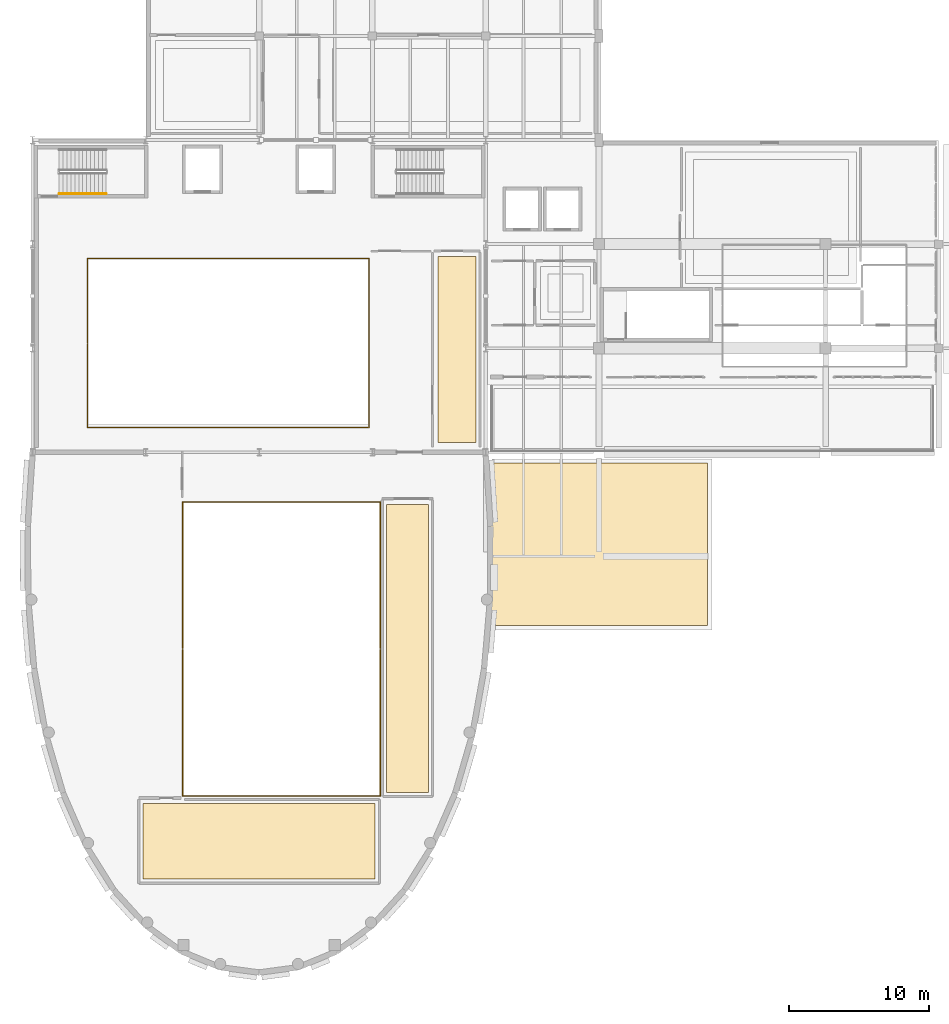
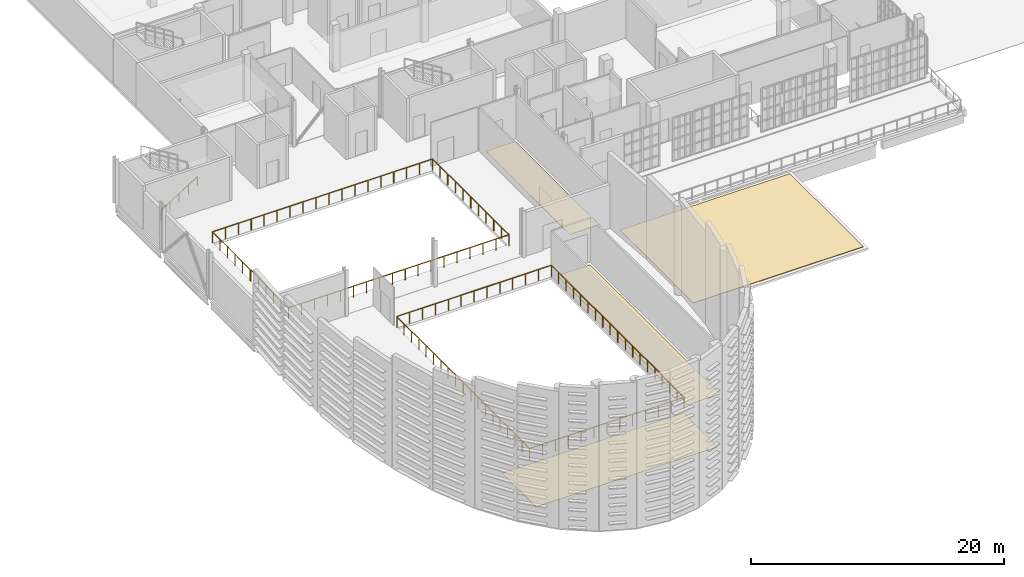
# One storey, part 52 of 56: 5 railings, 4 coverings.
"""IFC4 building model written with IfcOpenShell, lengths in metres."""

from ifc_helpers import new_model, si_unit, direction, frame, origin, origin_2d, place, context, subcontext, project, spatial, polyline, circle, outline, extrude, material, layer, layer_set, type_object, element, save


model = new_model("IFC4")

# Units and contexts
model_context = context("Model", 3, precision=1e-05, world=origin(), true_north=direction((0.0, 1.0)))
body_context = subcontext(model_context, "Body", "Model", "MODEL_VIEW")
ifc_project = project(units=[si_unit("LENGTHUNIT", "METRE"), si_unit("AREAUNIT", "SQUARE_METRE"), si_unit("VOLUMEUNIT", "CUBIC_METRE"), si_unit("PLANEANGLEUNIT", "RADIAN"), si_unit("MASSUNIT", "GRAM", prefix="KILO")], contexts=[model_context])

# Site, building, storey
site_placement = place(None, origin())
site = spatial("IfcSite", under=ifc_project, at=site_placement, CompositionType="ELEMENT")
building_placement = place(site_placement, origin())
building = spatial("IfcBuilding", under=site, at=building_placement, Name="Kaelora Sail Theatre", CompositionType="ELEMENT")
storey_placement = place(building_placement, frame((0.0, 0.0, 14.699951171875)))
storey = spatial("IfcBuildingStorey", under=building, at=storey_placement, Name="L03", CompositionType="ELEMENT", Elevation=14.699951171875)

# Coverings
ifc_material_1 = material(Name="Acoustic rubber backstage studio flooring", Category="rubber")
ifc_layer_1 = layer(ifc_material_1, 0.02197265625)
ifc_layer_set_1 = layer_set([ifc_layer_1], Name="Acoustic rubber backstage studio flooring")
covering_type_1 = type_object("IfcCoveringType", Name="ARC-COV-FLR-AC-22", PredefinedType="FLOORING", material=ifc_layer_set_1)
covering_1_placement = place(storey_placement, origin())
element("IfcCovering", 1, at=covering_1_placement, inside=storey, type_object=covering_type_1, Name="Architectural flooring L03-TECH-RING", PredefinedType="FLOORING", context=body_context, shape_type="SweptSolid", body=[
    extrude(outline(polyline([(33.699951171875, 30.5), (50.300048828125, 30.5), (50.300048828125, 35.89990234375), (33.699951171875, 35.89990234375), (33.699951171875, 30.5)])), origin(), (0.0, 0.0, 1.0), 0.02197265625),
])
covering_2_placement = place(storey_placement, origin())
element("IfcCovering", 2, at=covering_2_placement, inside=storey, type_object=covering_type_1, Name="Architectural flooring L03-FLY-LOAD", PredefinedType="FLOORING", context=body_context, shape_type="SweptSolid", body=[
    extrude(outline(polyline([(54.800048828125, 61.699951171875), (57.5, 61.699951171875), (57.5, 75.0), (54.800048828125, 75.0), (54.800048828125, 61.699951171875)])), origin(), (0.0, 0.0, 1.0), 0.02197265625),
])
ifc_material_2 = material(Name="Sprung West African iroko stage and dance floor", Category="timber")
ifc_layer_2 = layer(ifc_material_2, 0.028076171875)
ifc_layer_set_2 = layer_set([ifc_layer_2], Name="Sprung West African iroko stage and dance floor")
covering_type_2 = type_object("IfcCoveringType", Name="ARC-COV-FLR-OAK-28", PredefinedType="FLOORING", material=ifc_layer_set_2)
covering_3_placement = place(storey_placement, origin())
element("IfcCovering", 3, at=covering_3_placement, inside=storey, type_object=covering_type_2, Name="Architectural flooring L03-ACOUSTIC-E", PredefinedType="FLOORING", context=body_context, shape_type="SweptSolid", body=[
    extrude(outline(polyline([(51.10009765625, 36.699951171875), (54.10009765625, 36.699951171875), (54.10009765625, 57.300048828125), (51.10009765625, 57.300048828125), (51.10009765625, 36.699951171875)])), origin(), (0.0, 0.0, 1.0), 0.028076171875),
])
ifc_material_3 = material(Name="Standing-seam titanium-zinc and TPO membrane", Category="metal")
ifc_layer_3 = layer(ifc_material_3, 0.044921875)
ifc_layer_set_3 = layer_set([ifc_layer_3], Name="Standing-seam titanium-zinc and TPO membrane")
covering_type_3 = type_object("IfcCoveringType", Name="ARC-COV-RFM", PredefinedType="ROOFING", material=ifc_layer_set_3)
covering_4_placement = place(storey_placement, origin())
element("IfcCovering", 4, at=covering_4_placement, inside=storey, type_object=covering_type_3, Name="Standing-seam titanium-zinc roofing FIW", PredefinedType="ROOFING", context=body_context, shape_type="SweptSolid", body=[
    extrude(outline(polyline([(58.530029296875, 48.6201171875), (74.070068359375, 48.6201171875), (74.070068359375, 60.25), (58.530029296875, 60.25), (58.530029296875, 48.6201171875)])), origin(), (0.0, 0.0, 1.0), 0.045166015625),
])

# Railings
ifc_material_4 = material(Name="Acoustic bronze and laminated glass balcony balustrade", Category="glass")
railing_type_1 = type_object("IfcRailingType", Name="ARC-RL-BAL", PredefinedType="BALUSTRADE", material=ifc_material_4)
railing_1_placement = place(storey_placement, frame((36.5400390625, 46.89990234375, 0.0)))
element("IfcRailing", 5, at=railing_1_placement, inside=storey, type_object=railing_type_1, Name="Interior void balustrade AUD-M3 south", PredefinedType="BALUSTRADE", context=body_context, shape_type="SweptSolid", body=[
    extrude(circle(Radius=0.02392578125, at=origin_2d()), frame((0.0, 0.0, 1.076171875), z_axis=(0.0, -1.0, 0.0), x_axis=(1.0, 0.0, 0.0)), (0.0, 0.0, 1.0), 10.4599609375),
    extrude(circle(Radius=0.02392578125, at=origin_2d()), frame((0.0, -10.4599609375, 1.076171875), z_axis=(1.0, 0.0, 0.0), x_axis=(0.0, 1.0, 0.0)), (0.0, 0.0, 1.0), 14.119873046875),
    extrude(circle(Radius=0.02392578125, at=origin_2d()), frame((14.119873046875, -10.4599609375, 1.076171875), z_axis=(0.0, 1.0, 0.0), x_axis=(-1.0, 0.0, 0.0)), (0.0, 0.0, 1.0), 10.4599609375),
    extrude(circle(Radius=0.02099609375, at=origin_2d()), origin(), (0.0, 0.0, 1.0), 1.052001953125),
    extrude(circle(Radius=0.02099609375, at=origin_2d()), frame((0.0, -1.162109375, 0.0)), (0.0, 0.0, 1.0), 1.052001953125),
    extrude(circle(Radius=0.02099609375, at=origin_2d()), frame((0.0, -2.324462890625, 0.0)), (0.0, 0.0, 1.0), 1.052001953125),
    extrude(circle(Radius=0.02099609375, at=origin_2d()), frame((0.0, -3.486572265625, 0.0)), (0.0, 0.0, 1.0), 1.052001953125),
    extrude(circle(Radius=0.02099609375, at=origin_2d()), frame((0.0, -4.64892578125, 0.0)), (0.0, 0.0, 1.0), 1.052001953125),
    extrude(circle(Radius=0.02099609375, at=origin_2d()), frame((0.0, -5.81103515625, 0.0)), (0.0, 0.0, 1.0), 1.052001953125),
    extrude(circle(Radius=0.02099609375, at=origin_2d()), frame((0.0, -6.973388671875, 0.0)), (0.0, 0.0, 1.0), 1.052001953125),
    extrude(circle(Radius=0.02099609375, at=origin_2d()), frame((0.0, -8.135498046875, 0.0)), (0.0, 0.0, 1.0), 1.052001953125),
    extrude(circle(Radius=0.02099609375, at=origin_2d()), frame((0.0, -9.2978515625, 0.0)), (0.0, 0.0, 1.0), 1.052001953125),
    extrude(circle(Radius=0.02099609375, at=origin_2d()), frame((0.0, -10.4599609375, 0.0)), (0.0, 0.0, 1.0), 1.052001953125),
    extrude(circle(Radius=0.02099609375, at=origin_2d()), frame((1.1767578125, -10.4599609375, 0.0)), (0.0, 0.0, 1.0), 1.052001953125),
    extrude(circle(Radius=0.02099609375, at=origin_2d()), frame((2.353271484375, -10.4599609375, 0.0)), (0.0, 0.0, 1.0), 1.052001953125),
    extrude(circle(Radius=0.02099609375, at=origin_2d()), frame((3.530029296875, -10.4599609375, 0.0)), (0.0, 0.0, 1.0), 1.052001953125),
    extrude(circle(Radius=0.02099609375, at=origin_2d()), frame((4.70654296875, -10.4599609375, 0.0)), (0.0, 0.0, 1.0), 1.052001953125),
    extrude(circle(Radius=0.02099609375, at=origin_2d()), frame((5.88330078125, -10.4599609375, 0.0)), (0.0, 0.0, 1.0), 1.052001953125),
    extrude(circle(Radius=0.02099609375, at=origin_2d()), frame((7.06005859375, -10.4599609375, 0.0)), (0.0, 0.0, 1.0), 1.052001953125),
    extrude(circle(Radius=0.02099609375, at=origin_2d()), frame((8.236572265625, -10.4599609375, 0.0)), (0.0, 0.0, 1.0), 1.052001953125),
    extrude(circle(Radius=0.02099609375, at=origin_2d()), frame((9.413330078125, -10.4599609375, 0.0)), (0.0, 0.0, 1.0), 1.052001953125),
    extrude(circle(Radius=0.02099609375, at=origin_2d()), frame((10.58984375, -10.4599609375, 0.0)), (0.0, 0.0, 1.0), 1.052001953125),
    extrude(circle(Radius=0.02099609375, at=origin_2d()), frame((11.7666015625, -10.4599609375, 0.0)), (0.0, 0.0, 1.0), 1.052001953125),
    extrude(circle(Radius=0.02099609375, at=origin_2d()), frame((12.943115234375, -10.4599609375, 0.0)), (0.0, 0.0, 1.0), 1.052001953125),
    extrude(circle(Radius=0.02099609375, at=origin_2d()), frame((14.119873046875, -10.4599609375, 0.0)), (0.0, 0.0, 1.0), 1.052001953125),
    extrude(circle(Radius=0.02099609375, at=origin_2d()), frame((14.119873046875, -9.2978515625, 0.0)), (0.0, 0.0, 1.0), 1.052001953125),
    extrude(circle(Radius=0.02099609375, at=origin_2d()), frame((14.119873046875, -8.135498046875, 0.0)), (0.0, 0.0, 1.0), 1.052001953125),
    extrude(circle(Radius=0.02099609375, at=origin_2d()), frame((14.119873046875, -6.973388671875, 0.0)), (0.0, 0.0, 1.0), 1.052001953125),
    extrude(circle(Radius=0.02099609375, at=origin_2d()), frame((14.119873046875, -5.81103515625, 0.0)), (0.0, 0.0, 1.0), 1.052001953125),
    extrude(circle(Radius=0.02099609375, at=origin_2d()), frame((14.119873046875, -4.64892578125, 0.0)), (0.0, 0.0, 1.0), 1.052001953125),
    extrude(circle(Radius=0.02099609375, at=origin_2d()), frame((14.119873046875, -3.486572265625, 0.0)), (0.0, 0.0, 1.0), 1.052001953125),
    extrude(circle(Radius=0.02099609375, at=origin_2d()), frame((14.119873046875, -2.324462890625, 0.0)), (0.0, 0.0, 1.0), 1.052001953125),
    extrude(circle(Radius=0.02099609375, at=origin_2d()), frame((14.119873046875, -1.162109375, 0.0)), (0.0, 0.0, 1.0), 1.052001953125),
    extrude(circle(Radius=0.02099609375, at=origin_2d()), frame((14.119873046875, 0.0, 0.0)), (0.0, 0.0, 1.0), 1.052001953125),
])
railing_2_placement = place(storey_placement, frame((50.659912109375, 47.0, 0.0)))
element("IfcRailing", 6, at=railing_2_placement, inside=storey, type_object=railing_type_1, Name="Interior void balustrade AUD-M3 north", PredefinedType="BALUSTRADE", context=body_context, shape_type="SweptSolid", body=[
    extrude(circle(Radius=0.02392578125, at=origin_2d()), frame((0.0, 0.0, 1.076171875), z_axis=(0.0, 1.0, 0.0), x_axis=(-1.0, 0.0, 0.0)), (0.0, 0.0, 1.0), 10.4599609375),
    extrude(circle(Radius=0.02392578125, at=origin_2d()), frame((0.0, 10.4599609375, 1.076171875), z_axis=(-1.0, 0.0, 0.0), x_axis=(0.0, -1.0, 0.0)), (0.0, 0.0, 1.0), 14.119873046875),
    extrude(circle(Radius=0.02392578125, at=origin_2d()), frame((-14.119873046875, 10.4599609375, 1.076171875), z_axis=(0.0, -1.0, 0.0), x_axis=(1.0, 0.0, 0.0)), (0.0, 0.0, 1.0), 10.4599609375),
    extrude(circle(Radius=0.02099609375, at=origin_2d()), origin(), (0.0, 0.0, 1.0), 1.052001953125),
    extrude(circle(Radius=0.02099609375, at=origin_2d()), frame((0.0, 1.162109375, 0.0)), (0.0, 0.0, 1.0), 1.052001953125),
    extrude(circle(Radius=0.02099609375, at=origin_2d()), frame((0.0, 2.324462890625, 0.0)), (0.0, 0.0, 1.0), 1.052001953125),
    extrude(circle(Radius=0.02099609375, at=origin_2d()), frame((0.0, 3.486572265625, 0.0)), (0.0, 0.0, 1.0), 1.052001953125),
    extrude(circle(Radius=0.02099609375, at=origin_2d()), frame((0.0, 4.64892578125, 0.0)), (0.0, 0.0, 1.0), 1.052001953125),
    extrude(circle(Radius=0.02099609375, at=origin_2d()), frame((0.0, 5.81103515625, 0.0)), (0.0, 0.0, 1.0), 1.052001953125),
    extrude(circle(Radius=0.02099609375, at=origin_2d()), frame((0.0, 6.973388671875, 0.0)), (0.0, 0.0, 1.0), 1.052001953125),
    extrude(circle(Radius=0.02099609375, at=origin_2d()), frame((0.0, 8.135498046875, 0.0)), (0.0, 0.0, 1.0), 1.052001953125),
    extrude(circle(Radius=0.02099609375, at=origin_2d()), frame((0.0, 9.2978515625, 0.0)), (0.0, 0.0, 1.0), 1.052001953125),
    extrude(circle(Radius=0.02099609375, at=origin_2d()), frame((0.0, 10.4599609375, 0.0)), (0.0, 0.0, 1.0), 1.052001953125),
    extrude(circle(Radius=0.02099609375, at=origin_2d()), frame((-1.1767578125, 10.4599609375, 0.0)), (0.0, 0.0, 1.0), 1.052001953125),
    extrude(circle(Radius=0.02099609375, at=origin_2d()), frame((-2.353271484375, 10.4599609375, 0.0)), (0.0, 0.0, 1.0), 1.052001953125),
    extrude(circle(Radius=0.02099609375, at=origin_2d()), frame((-3.530029296875, 10.4599609375, 0.0)), (0.0, 0.0, 1.0), 1.052001953125),
    extrude(circle(Radius=0.02099609375, at=origin_2d()), frame((-4.70654296875, 10.4599609375, 0.0)), (0.0, 0.0, 1.0), 1.052001953125),
    extrude(circle(Radius=0.02099609375, at=origin_2d()), frame((-5.88330078125, 10.4599609375, 0.0)), (0.0, 0.0, 1.0), 1.052001953125),
    extrude(circle(Radius=0.02099609375, at=origin_2d()), frame((-7.06005859375, 10.4599609375, 0.0)), (0.0, 0.0, 1.0), 1.052001953125),
    extrude(circle(Radius=0.02099609375, at=origin_2d()), frame((-8.236572265625, 10.4599609375, 0.0)), (0.0, 0.0, 1.0), 1.052001953125),
    extrude(circle(Radius=0.02099609375, at=origin_2d()), frame((-9.413330078125, 10.4599609375, 0.0)), (0.0, 0.0, 1.0), 1.052001953125),
    extrude(circle(Radius=0.02099609375, at=origin_2d()), frame((-10.58984375, 10.4599609375, 0.0)), (0.0, 0.0, 1.0), 1.052001953125),
    extrude(circle(Radius=0.02099609375, at=origin_2d()), frame((-11.7666015625, 10.4599609375, 0.0)), (0.0, 0.0, 1.0), 1.052001953125),
    extrude(circle(Radius=0.02099609375, at=origin_2d()), frame((-12.943115234375, 10.4599609375, 0.0)), (0.0, 0.0, 1.0), 1.052001953125),
    extrude(circle(Radius=0.02099609375, at=origin_2d()), frame((-14.119873046875, 10.4599609375, 0.0)), (0.0, 0.0, 1.0), 1.052001953125),
    extrude(circle(Radius=0.02099609375, at=origin_2d()), frame((-14.119873046875, 9.2978515625, 0.0)), (0.0, 0.0, 1.0), 1.052001953125),
    extrude(circle(Radius=0.02099609375, at=origin_2d()), frame((-14.119873046875, 8.135498046875, 0.0)), (0.0, 0.0, 1.0), 1.052001953125),
    extrude(circle(Radius=0.02099609375, at=origin_2d()), frame((-14.119873046875, 6.973388671875, 0.0)), (0.0, 0.0, 1.0), 1.052001953125),
    extrude(circle(Radius=0.02099609375, at=origin_2d()), frame((-14.119873046875, 5.81103515625, 0.0)), (0.0, 0.0, 1.0), 1.052001953125),
    extrude(circle(Radius=0.02099609375, at=origin_2d()), frame((-14.119873046875, 4.64892578125, 0.0)), (0.0, 0.0, 1.0), 1.052001953125),
    extrude(circle(Radius=0.02099609375, at=origin_2d()), frame((-14.119873046875, 3.486572265625, 0.0)), (0.0, 0.0, 1.0), 1.052001953125),
    extrude(circle(Radius=0.02099609375, at=origin_2d()), frame((-14.119873046875, 2.324462890625, 0.0)), (0.0, 0.0, 1.0), 1.052001953125),
    extrude(circle(Radius=0.02099609375, at=origin_2d()), frame((-14.119873046875, 1.162109375, 0.0)), (0.0, 0.0, 1.0), 1.052001953125),
    extrude(circle(Radius=0.02099609375, at=origin_2d()), frame((-14.119873046875, 0.0, 0.0)), (0.0, 0.0, 1.0), 1.052001953125),
])
ifc_material_5 = material(Name="Painted steel and laminated safety glass guard", Category="steel")
railing_type_2 = type_object("IfcRailingType", Name="ARC-RL-GRD", PredefinedType="GUARDRAIL", material=ifc_material_5)
railing_3_placement = place(storey_placement, frame((29.739990234375, 68.77490234375, 0.0)))
element("IfcRailing", 7, at=railing_3_placement, inside=storey, type_object=railing_type_2, Name="Interior void balustrade FLY-V3 south", PredefinedType="GUARDRAIL", context=body_context, shape_type="SweptSolid", body=[
    extrude(circle(Radius=0.02392578125, at=origin_2d()), frame((0.0, 0.0, 1.076171875), z_axis=(0.0, -1.0, 0.0), x_axis=(1.0, 0.0, 0.0)), (0.0, 0.0, 1.0), 5.98486328125),
    extrude(circle(Radius=0.02392578125, at=origin_2d()), frame((0.0, -5.98486328125, 1.076171875), z_axis=(1.0, 0.0, 0.0), x_axis=(0.0, 1.0, 0.0)), (0.0, 0.0, 1.0), 20.1201171875),
    extrude(circle(Radius=0.02392578125, at=origin_2d()), frame((20.1201171875, -5.98486328125, 1.076171875), z_axis=(0.0, 1.0, 0.0), x_axis=(-1.0, 0.0, 0.0)), (0.0, 0.0, 1.0), 5.98486328125),
    extrude(circle(Radius=0.02099609375, at=origin_2d()), origin(), (0.0, 0.0, 1.0), 1.052001953125),
    extrude(circle(Radius=0.02099609375, at=origin_2d()), frame((0.0, -1.197021484375, 0.0)), (0.0, 0.0, 1.0), 1.052001953125),
    extrude(circle(Radius=0.02099609375, at=origin_2d()), frame((0.0, -2.39404296875, 0.0)), (0.0, 0.0, 1.0), 1.052001953125),
    extrude(circle(Radius=0.02099609375, at=origin_2d()), frame((0.0, -3.5908203125, 0.0)), (0.0, 0.0, 1.0), 1.052001953125),
    extrude(circle(Radius=0.02099609375, at=origin_2d()), frame((0.0, -4.787841796875, 0.0)), (0.0, 0.0, 1.0), 1.052001953125),
    extrude(circle(Radius=0.02099609375, at=origin_2d()), frame((0.0, -5.98486328125, 0.0)), (0.0, 0.0, 1.0), 1.052001953125),
    extrude(circle(Radius=0.02099609375, at=origin_2d()), frame((1.18359375, -5.98486328125, 0.0)), (0.0, 0.0, 1.0), 1.052001953125),
    extrude(circle(Radius=0.02099609375, at=origin_2d()), frame((2.3671875, -5.98486328125, 0.0)), (0.0, 0.0, 1.0), 1.052001953125),
    extrude(circle(Radius=0.02099609375, at=origin_2d()), frame((3.550537109375, -5.98486328125, 0.0)), (0.0, 0.0, 1.0), 1.052001953125),
    extrude(circle(Radius=0.02099609375, at=origin_2d()), frame((4.734130859375, -5.98486328125, 0.0)), (0.0, 0.0, 1.0), 1.052001953125),
    extrude(circle(Radius=0.02099609375, at=origin_2d()), frame((5.917724609375, -5.98486328125, 0.0)), (0.0, 0.0, 1.0), 1.052001953125),
    extrude(circle(Radius=0.02099609375, at=origin_2d()), frame((7.101318359375, -5.98486328125, 0.0)), (0.0, 0.0, 1.0), 1.052001953125),
    extrude(circle(Radius=0.02099609375, at=origin_2d()), frame((8.28466796875, -5.98486328125, 0.0)), (0.0, 0.0, 1.0), 1.052001953125),
    extrude(circle(Radius=0.02099609375, at=origin_2d()), frame((9.46826171875, -5.98486328125, 0.0)), (0.0, 0.0, 1.0), 1.052001953125),
    extrude(circle(Radius=0.02099609375, at=origin_2d()), frame((10.65185546875, -5.98486328125, 0.0)), (0.0, 0.0, 1.0), 1.052001953125),
    extrude(circle(Radius=0.02099609375, at=origin_2d()), frame((11.83544921875, -5.98486328125, 0.0)), (0.0, 0.0, 1.0), 1.052001953125),
    extrude(circle(Radius=0.02099609375, at=origin_2d()), frame((13.018798828125, -5.98486328125, 0.0)), (0.0, 0.0, 1.0), 1.052001953125),
    extrude(circle(Radius=0.02099609375, at=origin_2d()), frame((14.202392578125, -5.98486328125, 0.0)), (0.0, 0.0, 1.0), 1.052001953125),
    extrude(circle(Radius=0.02099609375, at=origin_2d()), frame((15.385986328125, -5.98486328125, 0.0)), (0.0, 0.0, 1.0), 1.052001953125),
    extrude(circle(Radius=0.02099609375, at=origin_2d()), frame((16.569580078125, -5.98486328125, 0.0)), (0.0, 0.0, 1.0), 1.052001953125),
    extrude(circle(Radius=0.02099609375, at=origin_2d()), frame((17.7529296875, -5.98486328125, 0.0)), (0.0, 0.0, 1.0), 1.052001953125),
    extrude(circle(Radius=0.02099609375, at=origin_2d()), frame((18.9365234375, -5.98486328125, 0.0)), (0.0, 0.0, 1.0), 1.052001953125),
    extrude(circle(Radius=0.02099609375, at=origin_2d()), frame((20.1201171875, -5.98486328125, 0.0)), (0.0, 0.0, 1.0), 1.052001953125),
    extrude(circle(Radius=0.02099609375, at=origin_2d()), frame((20.1201171875, -4.787841796875, 0.0)), (0.0, 0.0, 1.0), 1.052001953125),
    extrude(circle(Radius=0.02099609375, at=origin_2d()), frame((20.1201171875, -3.5908203125, 0.0)), (0.0, 0.0, 1.0), 1.052001953125),
    extrude(circle(Radius=0.02099609375, at=origin_2d()), frame((20.1201171875, -2.39404296875, 0.0)), (0.0, 0.0, 1.0), 1.052001953125),
    extrude(circle(Radius=0.02099609375, at=origin_2d()), frame((20.1201171875, -1.197021484375, 0.0)), (0.0, 0.0, 1.0), 1.052001953125),
    extrude(circle(Radius=0.02099609375, at=origin_2d()), frame((20.1201171875, 0.0, 0.0)), (0.0, 0.0, 1.0), 1.052001953125),
])
railing_4_placement = place(storey_placement, frame((49.860107421875, 68.875, 0.0)))
element("IfcRailing", 8, at=railing_4_placement, inside=storey, type_object=railing_type_2, Name="Interior void balustrade FLY-V3 north", PredefinedType="GUARDRAIL", context=body_context, shape_type="SweptSolid", body=[
    extrude(circle(Radius=0.02392578125, at=origin_2d()), frame((0.0, 0.0, 1.076171875), z_axis=(0.0, 1.0, 0.0), x_axis=(-1.0, 0.0, 0.0)), (0.0, 0.0, 1.0), 5.985107421875),
    extrude(circle(Radius=0.02392578125, at=origin_2d()), frame((0.0, 5.985107421875, 1.076171875), z_axis=(-1.0, 0.0, 0.0), x_axis=(0.0, -1.0, 0.0)), (0.0, 0.0, 1.0), 20.1201171875),
    extrude(circle(Radius=0.02392578125, at=origin_2d()), frame((-20.1201171875, 5.985107421875, 1.076171875), z_axis=(0.0, -1.0, 0.0), x_axis=(1.0, 0.0, 0.0)), (0.0, 0.0, 1.0), 5.985107421875),
    extrude(circle(Radius=0.02099609375, at=origin_2d()), origin(), (0.0, 0.0, 1.0), 1.052001953125),
    extrude(circle(Radius=0.02099609375, at=origin_2d()), frame((0.0, 1.197021484375, 0.0)), (0.0, 0.0, 1.0), 1.052001953125),
    extrude(circle(Radius=0.02099609375, at=origin_2d()), frame((0.0, 2.39404296875, 0.0)), (0.0, 0.0, 1.0), 1.052001953125),
    extrude(circle(Radius=0.02099609375, at=origin_2d()), frame((0.0, 3.591064453125, 0.0)), (0.0, 0.0, 1.0), 1.052001953125),
    extrude(circle(Radius=0.02099609375, at=origin_2d()), frame((0.0, 4.7880859375, 0.0)), (0.0, 0.0, 1.0), 1.052001953125),
    extrude(circle(Radius=0.02099609375, at=origin_2d()), frame((0.0, 5.985107421875, 0.0)), (0.0, 0.0, 1.0), 1.052001953125),
    extrude(circle(Radius=0.02099609375, at=origin_2d()), frame((-1.18359375, 5.985107421875, 0.0)), (0.0, 0.0, 1.0), 1.052001953125),
    extrude(circle(Radius=0.02099609375, at=origin_2d()), frame((-2.3671875, 5.985107421875, 0.0)), (0.0, 0.0, 1.0), 1.052001953125),
    extrude(circle(Radius=0.02099609375, at=origin_2d()), frame((-3.550537109375, 5.985107421875, 0.0)), (0.0, 0.0, 1.0), 1.052001953125),
    extrude(circle(Radius=0.02099609375, at=origin_2d()), frame((-4.734130859375, 5.985107421875, 0.0)), (0.0, 0.0, 1.0), 1.052001953125),
    extrude(circle(Radius=0.02099609375, at=origin_2d()), frame((-5.917724609375, 5.985107421875, 0.0)), (0.0, 0.0, 1.0), 1.052001953125),
    extrude(circle(Radius=0.02099609375, at=origin_2d()), frame((-7.101318359375, 5.985107421875, 0.0)), (0.0, 0.0, 1.0), 1.052001953125),
    extrude(circle(Radius=0.02099609375, at=origin_2d()), frame((-8.28466796875, 5.985107421875, 0.0)), (0.0, 0.0, 1.0), 1.052001953125),
    extrude(circle(Radius=0.02099609375, at=origin_2d()), frame((-9.46826171875, 5.985107421875, 0.0)), (0.0, 0.0, 1.0), 1.052001953125),
    extrude(circle(Radius=0.02099609375, at=origin_2d()), frame((-10.65185546875, 5.985107421875, 0.0)), (0.0, 0.0, 1.0), 1.052001953125),
    extrude(circle(Radius=0.02099609375, at=origin_2d()), frame((-11.83544921875, 5.985107421875, 0.0)), (0.0, 0.0, 1.0), 1.052001953125),
    extrude(circle(Radius=0.02099609375, at=origin_2d()), frame((-13.018798828125, 5.985107421875, 0.0)), (0.0, 0.0, 1.0), 1.052001953125),
    extrude(circle(Radius=0.02099609375, at=origin_2d()), frame((-14.202392578125, 5.985107421875, 0.0)), (0.0, 0.0, 1.0), 1.052001953125),
    extrude(circle(Radius=0.02099609375, at=origin_2d()), frame((-15.385986328125, 5.985107421875, 0.0)), (0.0, 0.0, 1.0), 1.052001953125),
    extrude(circle(Radius=0.02099609375, at=origin_2d()), frame((-16.569580078125, 5.985107421875, 0.0)), (0.0, 0.0, 1.0), 1.052001953125),
    extrude(circle(Radius=0.02099609375, at=origin_2d()), frame((-17.7529296875, 5.985107421875, 0.0)), (0.0, 0.0, 1.0), 1.052001953125),
    extrude(circle(Radius=0.02099609375, at=origin_2d()), frame((-18.9365234375, 5.985107421875, 0.0)), (0.0, 0.0, 1.0), 1.052001953125),
    extrude(circle(Radius=0.02099609375, at=origin_2d()), frame((-20.1201171875, 5.985107421875, 0.0)), (0.0, 0.0, 1.0), 1.052001953125),
    extrude(circle(Radius=0.02099609375, at=origin_2d()), frame((-20.1201171875, 4.7880859375, 0.0)), (0.0, 0.0, 1.0), 1.052001953125),
    extrude(circle(Radius=0.02099609375, at=origin_2d()), frame((-20.1201171875, 3.591064453125, 0.0)), (0.0, 0.0, 1.0), 1.052001953125),
    extrude(circle(Radius=0.02099609375, at=origin_2d()), frame((-20.1201171875, 2.39404296875, 0.0)), (0.0, 0.0, 1.0), 1.052001953125),
    extrude(circle(Radius=0.02099609375, at=origin_2d()), frame((-20.1201171875, 1.197021484375, 0.0)), (0.0, 0.0, 1.0), 1.052001953125),
    extrude(circle(Radius=0.02099609375, at=origin_2d()), frame((-20.1201171875, 0.0, 0.0)), (0.0, 0.0, 1.0), 1.052001953125),
])
ifc_material_6 = material(Name="Brushed stainless steel 316L tubular handrail", Category="steel")
railing_type_3 = type_object("IfcRailingType", Name="ARC-RL-HND", PredefinedType="HANDRAIL", material=ifc_material_6)
railing_5_placement = place(storey_placement, frame((27.7099609375, 79.5, 0.173095703125)))
element("IfcRailing", 9, at=railing_5_placement, inside=storey, type_object=railing_type_3, Name="L03 ST-K1 stair handrail 1", PredefinedType="HANDRAIL", context=body_context, shape_type="SweptSolid", body=[
    extrude(circle(Radius=0.02392578125, at=origin_2d()), frame((0.0, 0.0, 0.8759765625), z_axis=(0.850623216509, 0.0, 0.525775754039), x_axis=(0.0, 1.0, 0.0)), (0.0, 0.0, 1.0), 3.9501953125),
    extrude(circle(Radius=0.02099609375, at=origin_2d()), origin(), (0.0, 0.0, 1.0), 0.851806640625),
    extrude(circle(Radius=0.02099609375, at=origin_2d()), frame((0.840087890625, 0.0, 0.519287109375)), (0.0, 0.0, 1.0), 0.851806640625),
    extrude(circle(Radius=0.02099609375, at=origin_2d()), frame((1.68017578125, 0.0, 1.03857421875)), (0.0, 0.0, 1.0), 0.851806640625),
    extrude(circle(Radius=0.02099609375, at=origin_2d()), frame((2.52001953125, 0.0, 1.5576171875)), (0.0, 0.0, 1.0), 0.851806640625),
    extrude(circle(Radius=0.02099609375, at=origin_2d()), frame((3.360107421875, 0.0, 2.076904296875)), (0.0, 0.0, 1.0), 0.851806640625),
])

save(model, "model.ifc")
